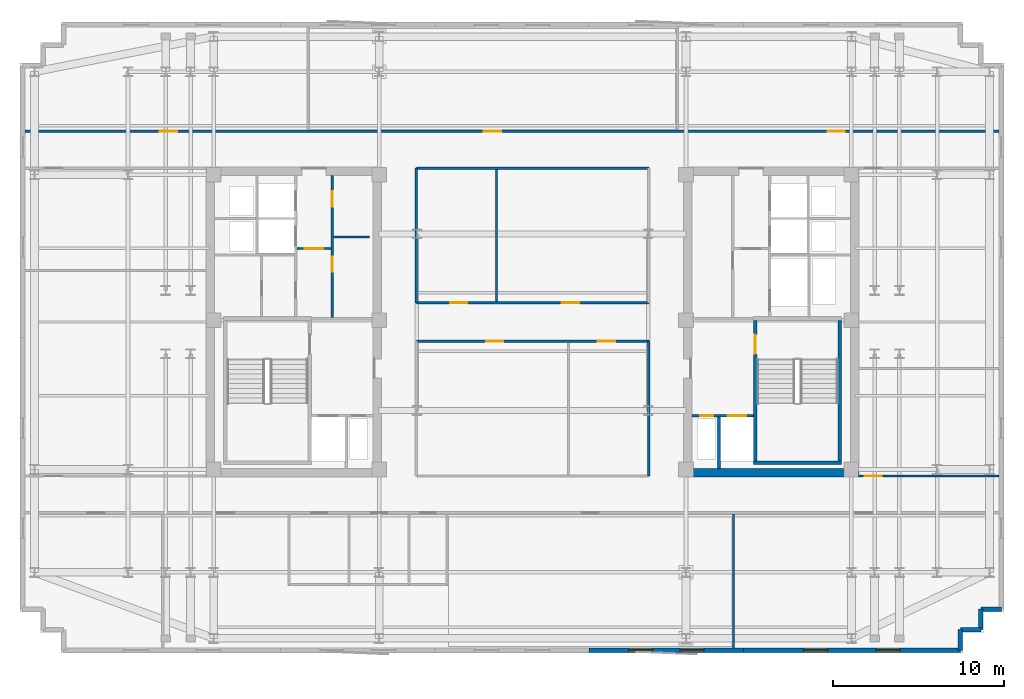
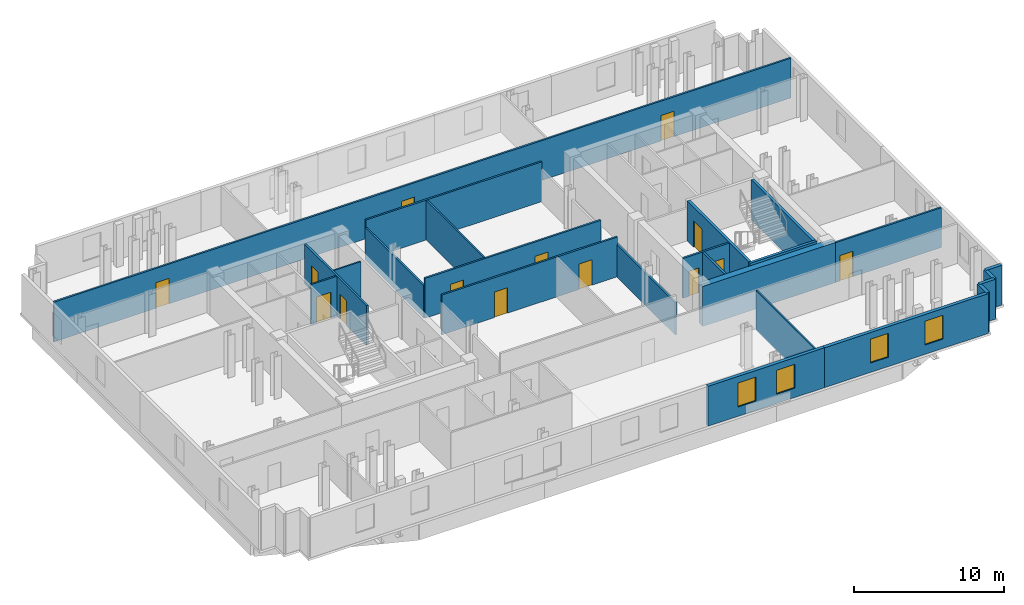
# One storey, part 5 of 9: 24 walls, 14 doors, 4 windows, 18 openings.
"""IFC4 building model written with IfcOpenShell, lengths in metres."""

from ifc_helpers import new_model, si_unit, direction, frame, frame_2d, origin, place, context, subcontext, project, spatial, rectangle, extrude, material, layer, layer_set, type_object, element, fill, save


model = new_model("IFC4")

# Units and contexts
model_context = context("Model", 3, precision=1e-05, world=origin(), true_north=direction((0.0, 1.0)))
body_context = subcontext(model_context, "Body", "Model", "MODEL_VIEW")
ifc_project = project(units=[si_unit("LENGTHUNIT", "METRE"), si_unit("AREAUNIT", "SQUARE_METRE"), si_unit("VOLUMEUNIT", "CUBIC_METRE"), si_unit("PLANEANGLEUNIT", "RADIAN"), si_unit("MASSUNIT", "GRAM", prefix="KILO")], contexts=[model_context])

# Site, building, storey
site_placement = place(None, origin())
site = spatial("IfcSite", under=ifc_project, at=site_placement, CompositionType="ELEMENT")
building_placement = place(site_placement, origin())
building = spatial("IfcBuilding", under=site, at=building_placement, Name="Velakula Bourse", CompositionType="ELEMENT")
storey_placement = place(building_placement, frame((0.0, 0.0, 208.5)))
storey = spatial("IfcBuildingStorey", under=building, at=storey_placement, Name="L56", CompositionType="ELEMENT", Elevation=208.5)

# Wall, opening, door
ifc_material_1 = material(Name="Concrete M50 (fck 50 MPa)", Category="concrete")
ifc_layer_1 = layer(ifc_material_1, 0.2099609375, Name="Concrete M50 (fck 50 MPa)", Category="concrete")
ifc_layer_set_1 = layer_set([ifc_layer_1], Name="Concrete M50 (fck 50 MPa)")
wall_type_1 = type_object("IfcWallType", Name="WL-CORE-210", PredefinedType="SHEAR", material=ifc_layer_set_1)
wall_1_placement = place(storey_placement, frame((12.9951171875, -8.10009765625, 0.0), z_axis=(0.0, 0.0, 1.0), x_axis=(0.0, 1.0, 0.0)))
wall_1 = element("IfcWall", 1, at=wall_1_placement, inside=storey, type_object=wall_type_1, Name="L56 Core E Stairwell Shear Wall IN", PredefinedType="SHEAR", context=body_context, shape_type="SweptSolid", body=[
    extrude(rectangle(XDim=8.2001953125, YDim=0.2099609375, at=frame_2d((4.10009765625, 0.0))), origin(), (0.0, 0.0, 1.0), 3.27001953125),
])
opening_1_placement = place(wall_1_placement, frame((6.25, 0.0, 0.0)))
opening_1 = element("IfcOpeningElement", 2, at=opening_1_placement, cuts=wall_1, Name="Opening D-STE1", PredefinedType="OPENING", context=body_context, shape_type="SweptSolid", body=[
    extrude(rectangle(XDim=1.10009765625, YDim=2.14990234375, at=frame_2d((0.550048828125, 1.074951171875))), frame((0.0, 0.114990234375, 0.0), z_axis=(0.0, -1.0, 0.0), x_axis=(1.0, 0.0, 0.0)), (0.0, 0.0, 1.0), 0.22998046875),
])
ifc_material_2 = material(Name="Galvanised painted hollow steel fire door", Category="steel")
door_type_1 = type_object("IfcDoorType", Name="DR-FD120-1100x2150", OperationType="NOTDEFINED", PredefinedType="DOOR", material=ifc_material_2)
door_1_placement = place(opening_1_placement, origin())
door_1 = element("IfcDoor", 3, at=door_1_placement, inside=storey, type_object=door_type_1, Name="L56 Stair ST-E1 Fire Door", OperationType="SINGLE_SWING_RIGHT", OverallHeight=2.14990234375, OverallWidth=1.10009765625, PredefinedType="DOOR", context=body_context, shape_type="SweptSolid", body=[
    extrude(rectangle(XDim=1.10009765625, YDim=2.14990234375, at=frame_2d((0.550048828125, 1.074951171875))), frame((0.0, 0.02490234375, 0.0), z_axis=(0.0, -1.0, 0.0), x_axis=(1.0, 0.0, 0.0)), (0.0, 0.0, 1.0), 0.050048828125),
])
fill(opening_1, door_1)

# Walls
wall_2_placement = place(storey_placement, frame((17.925048828125, -8.10009765625, 0.0), z_axis=(0.0, 0.0, 1.0), x_axis=(0.0, 1.0, 0.0)))
element("IfcWall", 4, at=wall_2_placement, inside=storey, type_object=wall_type_1, Name="L56 Core E Stairwell Shear Wall OUT", PredefinedType="SHEAR", context=body_context, shape_type="SweptSolid", body=[
    extrude(rectangle(XDim=8.2001953125, YDim=0.2099609375, at=frame_2d((4.10009765625, 0.0))), origin(), (0.0, 0.0, 1.0), 3.27001953125),
])
wall_3_placement = place(storey_placement, frame((12.889892578125, -8.205078125, 0.0), z_axis=(0.0, 0.0, 1.0), x_axis=(1.0, 0.0, 0.0)))
element("IfcWall", 5, at=wall_3_placement, inside=storey, type_object=wall_type_1, Name="L56 Core E Stairwell Shear Wall S", PredefinedType="SHEAR", context=body_context, shape_type="SweptSolid", body=[
    extrude(rectangle(XDim=5.14013671875, YDim=0.2099609375, at=frame_2d((2.570068359375, 0.0))), origin(), (0.0, 0.0, 1.0), 3.27001953125),
])
ifc_layer_2 = layer(ifc_material_1, 0.5, Name="Concrete M50 (fck 50 MPa)", Category="concrete")
ifc_layer_set_2 = layer_set([ifc_layer_2], Name="Concrete M50 (fck 50 MPa)")
wall_type_2 = type_object("IfcWallType", Name="WL-CORE-500", PredefinedType="SHEAR", material=ifc_layer_set_2)
wall_4_placement = place(storey_placement, frame((8.800048828125, -8.800048828125, 0.0), z_axis=(0.0, 0.0, 1.0), x_axis=(1.0, 0.0, 0.0)))
element("IfcWall", 6, at=wall_4_placement, inside=storey, type_object=wall_type_2, Name="L56 Core E Shear Wall S", PredefinedType="SHEAR", context=body_context, shape_type="SweptSolid", body=[
    extrude(rectangle(XDim=10.25, YDim=0.5, at=frame_2d((5.125, 0.0))), origin(), (0.0, 0.0, 1.0), 3.27001953125),
])

# Wall, openings, windows
ifc_material_3 = material(Name="Buff kilned clay facing brick masonry", Category="masonry")
ifc_layer_3 = layer(ifc_material_3, 0.260009765625, Name="Buff kilned clay facing brick masonry", Category="masonry")
ifc_layer_set_3 = layer_set([ifc_layer_3], Name="Buff kilned clay facing brick masonry")
wall_type_3 = type_object("IfcWallType", Name="WL-EXT-BRK-260", PredefinedType="STANDARD", material=ifc_layer_set_3)
wall_5_placement = place(storey_placement, frame((12.300048828125, -19.14990234375, 0.0), z_axis=(0.0, 0.0, 1.0), x_axis=(-1.0, 0.0, 0.0)))
wall_5 = element("IfcWall", 7, at=wall_5_placement, inside=storey, type_object=wall_type_3, Name="L56 S Brick Spandrel Wall B4", PredefinedType="STANDARD", context=body_context, shape_type="SweptSolid", body=[
    extrude(rectangle(XDim=9.0, YDim=0.260009765625, at=frame_2d((4.5, 0.0))), origin(), (0.0, 0.0, 1.0), 3.25),
])
opening_2_placement = place(wall_5_placement, frame((2.300048828125, 0.0, 0.760009765625)))
opening_2 = element("IfcOpeningElement", 8, at=opening_2_placement, cuts=wall_5, Name="Opening W-03", PredefinedType="OPENING", context=body_context, shape_type="SweptSolid", body=[
    extrude(rectangle(XDim=1.39990234375, YDim=1.949951171875, at=frame_2d((0.699951171875, 0.97509765625))), frame((0.0, 0.139892578125, 0.0), z_axis=(0.0, -1.0, 0.0), x_axis=(1.0, 0.0, 0.0)), (0.0, 0.0, 1.0), 0.280029296875),
])
opening_3_placement = place(wall_5_placement, frame((5.300048828125, 0.0, 0.760009765625)))
opening_3 = element("IfcOpeningElement", 9, at=opening_3_placement, cuts=wall_5, Name="Opening W-03", PredefinedType="OPENING", context=body_context, shape_type="SweptSolid", body=[
    extrude(rectangle(XDim=1.39990234375, YDim=1.949951171875, at=frame_2d((0.699951171875, 0.97509765625))), frame((0.0, 0.139892578125, 0.0), z_axis=(0.0, -1.0, 0.0), x_axis=(1.0, 0.0, 0.0)), (0.0, 0.0, 1.0), 0.280029296875),
])
ifc_material_4 = material(Name="Double-glazed solar-control Low-E glass", Category="glass")
window_type = type_object("IfcWindowType", Name="WIN-TWR-1400x2100", PartitioningType="SINGLE_PANEL", PredefinedType="WINDOW", material=ifc_material_4)
window_1_placement = place(opening_2_placement, origin())
window_1 = element("IfcWindow", 10, at=window_1_placement, inside=storey, type_object=window_type, Name="L56 Deep-Set Recessed Window 1", OverallHeight=1.949951171875, OverallWidth=1.39990234375, PartitioningType="SINGLE_PANEL", PredefinedType="WINDOW", context=body_context, shape_type="SweptSolid", body=[
    extrude(rectangle(XDim=1.39990234375, YDim=1.949951171875, at=frame_2d((0.699951171875, 0.97509765625))), frame((0.0, 0.030029296875, 0.0), z_axis=(0.0, -1.0, 0.0), x_axis=(1.0, 0.0, 0.0)), (0.0, 0.0, 1.0), 0.06005859375),
])
fill(opening_2, window_1)
window_2_placement = place(opening_3_placement, origin())
window_2 = element("IfcWindow", 11, at=window_2_placement, inside=storey, type_object=window_type, Name="L56 Deep-Set Recessed Window 2", OverallHeight=1.949951171875, OverallWidth=1.39990234375, PartitioningType="SINGLE_PANEL", PredefinedType="WINDOW", context=body_context, shape_type="SweptSolid", body=[
    extrude(rectangle(XDim=1.39990234375, YDim=1.949951171875, at=frame_2d((0.699951171875, 0.97509765625))), frame((0.0, 0.030029296875, 0.0), z_axis=(0.0, -1.0, 0.0), x_axis=(1.0, 0.0, 0.0)), (0.0, 0.0, 1.0), 0.06005859375),
])
fill(opening_3, window_2)

wall_6_placement = place(storey_placement, frame((24.949951171875, -19.14990234375, 0.0), z_axis=(0.0, 0.0, 1.0), x_axis=(-1.0, 0.0, 0.0)))
wall_6 = element("IfcWall", 12, at=wall_6_placement, inside=storey, type_object=wall_type_3, Name="L56 S Brick Spandrel Wall B5", PredefinedType="STANDARD", context=body_context, shape_type="SweptSolid", body=[
    extrude(rectangle(XDim=12.64990234375, YDim=0.260009765625, at=frame_2d((6.324951171875, 0.0))), origin(), (0.0, 0.0, 1.0), 3.25),
])
opening_4_placement = place(wall_6_placement, frame((3.5166015625, 0.0, 0.760009765625)))
opening_4 = element("IfcOpeningElement", 13, at=opening_4_placement, cuts=wall_6, Name="Opening W-03", PredefinedType="OPENING", context=body_context, shape_type="SweptSolid", body=[
    extrude(rectangle(XDim=1.39990234375, YDim=1.949951171875, at=frame_2d((0.699951171875, 0.97509765625))), frame((0.0, 0.139892578125, 0.0), z_axis=(0.0, -1.0, 0.0), x_axis=(1.0, 0.0, 0.0)), (0.0, 0.0, 1.0), 0.280029296875),
])
opening_5_placement = place(wall_6_placement, frame((7.7333984375, 0.0, 0.760009765625)))
opening_5 = element("IfcOpeningElement", 14, at=opening_5_placement, cuts=wall_6, Name="Opening W-03", PredefinedType="OPENING", context=body_context, shape_type="SweptSolid", body=[
    extrude(rectangle(XDim=1.39990234375, YDim=1.949951171875, at=frame_2d((0.699951171875, 0.97509765625))), frame((0.0, 0.139892578125, 0.0), z_axis=(0.0, -1.0, 0.0), x_axis=(1.0, 0.0, 0.0)), (0.0, 0.0, 1.0), 0.280029296875),
])
window_3_placement = place(opening_4_placement, origin())
window_3 = element("IfcWindow", 15, at=window_3_placement, inside=storey, type_object=window_type, Name="L56 Deep-Set Recessed Window 1", OverallHeight=1.949951171875, OverallWidth=1.39990234375, PartitioningType="SINGLE_PANEL", PredefinedType="WINDOW", context=body_context, shape_type="SweptSolid", body=[
    extrude(rectangle(XDim=1.39990234375, YDim=1.949951171875, at=frame_2d((0.699951171875, 0.97509765625))), frame((0.0, 0.030029296875, 0.0), z_axis=(0.0, -1.0, 0.0), x_axis=(1.0, 0.0, 0.0)), (0.0, 0.0, 1.0), 0.06005859375),
])
fill(opening_4, window_3)
window_4_placement = place(opening_5_placement, origin())
window_4 = element("IfcWindow", 16, at=window_4_placement, inside=storey, type_object=window_type, Name="L56 Deep-Set Recessed Window 2", OverallHeight=1.949951171875, OverallWidth=1.39990234375, PartitioningType="SINGLE_PANEL", PredefinedType="WINDOW", context=body_context, shape_type="SweptSolid", body=[
    extrude(rectangle(XDim=1.39990234375, YDim=1.949951171875, at=frame_2d((0.699951171875, 0.97509765625))), frame((0.0, 0.030029296875, 0.0), z_axis=(0.0, -1.0, 0.0), x_axis=(1.0, 0.0, 0.0)), (0.0, 0.0, 1.0), 0.06005859375),
])
fill(opening_5, window_4)

# Walls
for number, where, z_axis, x_axis, name in (
    (17, (24.949951171875, -19.14990234375, 0.0), (0.0, 0.0, 1.0), (0.0, 1.0, 0.0), "L56 Serrated Corner Brick Wall SE-1"),
    (18, (24.949951171875, -17.949951171875, 0.0), (0.0, 0.0, 1.0), (1.0, 0.0, 0.0), "L56 Serrated Corner Brick Wall SE-2"),
    (19, (26.14990234375, -17.949951171875, 0.0), (0.0, 0.0, 1.0), (0.0, 1.0, 0.0), "L56 Serrated Corner Brick Wall SE-3"),
):
    element("IfcWall", number, at=place(storey_placement, frame(where, z_axis=z_axis, x_axis=x_axis)), inside=storey, type_object=wall_type_3, Name=name, PredefinedType="STANDARD", context=body_context, shape_type="SweptSolid", body=[
        extrude(rectangle(XDim=1.199951171875, YDim=0.260009765625, at=frame_2d((0.60009765625, 0.0))), origin(), (0.0, 0.0, 1.0), 3.25),
    ])
wall_7_placement = place(storey_placement, frame((26.14990234375, -16.75, 0.0), z_axis=(0.0, 0.0, 1.0), x_axis=(1.0, 0.0, 0.0)))
element("IfcWall", 20, at=wall_7_placement, inside=storey, type_object=wall_type_3, Name="L56 Serrated Corner Brick Wall SE-4", PredefinedType="STANDARD", context=body_context, shape_type="SweptSolid", body=[
    extrude(rectangle(XDim=1.2001953125, YDim=0.260009765625, at=frame_2d((0.60009765625, 0.0))), origin(), (0.0, 0.0, 1.0), 3.25),
])

# Wall, opening, door
ifc_material_5 = material(Name="Fire-rated double-layer gypsum drywall partition", Category="gypsum")
ifc_layer_4 = layer(ifc_material_5, 0.1201171875, Name="Fire-rated double-layer gypsum drywall partition", Category="gypsum")
ifc_layer_set_4 = layer_set([ifc_layer_4], Name="Fire-rated double-layer gypsum drywall partition")
wall_type_4 = type_object("IfcWallType", Name="WL-PART-120", PredefinedType="STANDARD", material=ifc_layer_set_4)
wall_8_placement = place(storey_placement, frame((-13.75, 4.280029296875, 0.0), z_axis=(0.0, 0.0, 1.0), x_axis=(1.0, 0.0, 0.0)))
wall_8 = element("IfcWall", 21, at=wall_8_placement, inside=storey, type_object=wall_type_4, Name="L56 Interior Partition WL-CRW-L56-LL-K2", PredefinedType="STANDARD", context=body_context, shape_type="SweptSolid", body=[
    extrude(rectangle(XDim=2.0, YDim=0.1201171875, at=frame_2d((1.0, 0.0))), origin(), (0.0, 0.0, 1.0), 3.25),
])
opening_6_placement = place(wall_8_placement, frame((0.449951171875, 0.0, 0.0)))
opening_6 = element("IfcOpeningElement", 22, at=opening_6_placement, cuts=wall_8, Name="Opening D-LK2", PredefinedType="OPENING", context=body_context, shape_type="SweptSolid", body=[
    extrude(rectangle(XDim=1.10009765625, YDim=2.10009765625, at=frame_2d((0.550048828125, 1.050048828125))), frame((0.0, 0.070068359375, 0.0), z_axis=(0.0, -1.0, 0.0), x_axis=(1.0, 0.0, 0.0)), (0.0, 0.0, 1.0), 0.14013671875),
])
ifc_material_6 = material(Name="Fire-rated hardwood flush architectural door", Category="wood")
door_type_2 = type_object("IfcDoorType", Name="DR-FD60-1100x2100", OperationType="NOTDEFINED", PredefinedType="DOOR", material=ifc_material_6)
door_2_placement = place(opening_6_placement, origin())
door_2 = element("IfcDoor", 23, at=door_2_placement, inside=storey, type_object=door_type_2, Name="L56 Core W Lift Lobby Zone Door", OperationType="SINGLE_SWING_RIGHT", OverallHeight=2.10009765625, OverallWidth=1.10009765625, PredefinedType="DOOR", context=body_context, shape_type="SweptSolid", body=[
    extrude(rectangle(XDim=1.10009765625, YDim=2.10009765625, at=frame_2d((0.550048828125, 1.050048828125))), frame((0.0, 0.02490234375, 0.0), z_axis=(0.0, -1.0, 0.0), x_axis=(1.0, 0.0, 0.0)), (0.0, 0.0, 1.0), 0.050048828125),
])
fill(opening_6, door_2)

# Walls
wall_9_placement = place(storey_placement, frame((-11.60009765625, 4.949951171875, 0.0), z_axis=(0.0, 0.0, 1.0), x_axis=(1.0, 0.0, 0.0)))
element("IfcWall", 24, at=wall_9_placement, inside=storey, type_object=wall_type_4, Name="L56 Interior Partition WL-CRW-L56-RCDIV", PredefinedType="STANDARD", context=body_context, shape_type="SweptSolid", body=[
    extrude(rectangle(XDim=2.10009765625, YDim=0.1201171875, at=frame_2d((1.050048828125, 0.0))), origin(), (0.0, 0.0, 1.0), 3.25),
])
wall_10_placement = place(storey_placement, frame((11.722900390625, -19.02001953125, 0.0), z_axis=(0.0, 0.0, 1.0), x_axis=(0.0, 1.0, 0.0)))
element("IfcWall", 25, at=wall_10_placement, inside=storey, type_object=wall_type_4, Name="L56 Interior Partition WL-INT-L56-SR-D6", PredefinedType="STANDARD", context=body_context, shape_type="SweptSolid", body=[
    extrude(rectangle(XDim=7.830078125, YDim=0.1201171875, at=frame_2d((3.9150390625, 0.0))), origin(), (0.0, 0.0, 1.0), 3.25),
])

# Wall, openings, doors
ifc_layer_5 = layer(ifc_material_5, 0.139892578125, Name="Fire-rated double-layer gypsum drywall partition", Category="gypsum")
ifc_layer_set_5 = layer_set([ifc_layer_5], Name="Fire-rated double-layer gypsum drywall partition")
wall_type_5 = type_object("IfcWallType", Name="WL-PART-140", PredefinedType="STANDARD", material=ifc_layer_set_5)
wall_11_placement = place(storey_placement, frame((-29.6201171875, 11.1201171875, 0.0), z_axis=(0.0, 0.0, 1.0), x_axis=(1.0, 0.0, 0.0)))
wall_11 = element("IfcWall", 26, at=wall_11_placement, inside=storey, type_object=wall_type_5, Name="L56 Interior Partition WL-INT-L56-N-CORR", PredefinedType="STANDARD", context=body_context, shape_type="SweptSolid", body=[
    extrude(rectangle(XDim=56.840087890625, YDim=0.139892578125, at=frame_2d((28.419921875, 0.0))), origin(), (0.0, 0.0, 1.0), 3.25),
])
opening_7_placement = place(wall_11_placement, frame((7.880615234375, 0.0, 0.0)))
opening_7 = element("IfcOpeningElement", 27, at=opening_7_placement, cuts=wall_11, Name="Opening D-OF1", PredefinedType="OPENING", context=body_context, shape_type="SweptSolid", body=[
    extrude(rectangle(XDim=1.0, YDim=2.080078125, at=frame_2d((0.5, 1.0400390625))), frame((0.0, 0.079833984375, 0.0), z_axis=(0.0, -1.0, 0.0), x_axis=(1.0, 0.0, 0.0)), (0.0, 0.0, 1.0), 0.159912109375),
])
opening_8_placement = place(wall_11_placement, frame((26.785400390625, 0.0, 0.0)))
opening_8 = element("IfcOpeningElement", 28, at=opening_8_placement, cuts=wall_11, Name="Opening D-OF1", PredefinedType="OPENING", context=body_context, shape_type="SweptSolid", body=[
    extrude(rectangle(XDim=1.0, YDim=2.080078125, at=frame_2d((0.5, 1.0400390625))), frame((0.0, 0.079833984375, 0.0), z_axis=(0.0, -1.0, 0.0), x_axis=(1.0, 0.0, 0.0)), (0.0, 0.0, 1.0), 0.159912109375),
])
opening_9_placement = place(wall_11_placement, frame((46.824951171875, 0.0, 0.0)))
opening_9 = element("IfcOpeningElement", 29, at=opening_9_placement, cuts=wall_11, Name="Opening D-OF1", PredefinedType="OPENING", context=body_context, shape_type="SweptSolid", body=[
    extrude(rectangle(XDim=1.0, YDim=2.080078125, at=frame_2d((0.5, 1.0400390625))), frame((0.0, 0.079833984375, 0.0), z_axis=(0.0, -1.0, 0.0), x_axis=(1.0, 0.0, 0.0)), (0.0, 0.0, 1.0), 0.159912109375),
])
door_type_3 = type_object("IfcDoorType", Name="DR-OFF-1000", OperationType="NOTDEFINED", PredefinedType="DOOR", material=ifc_material_6)
door_3_placement = place(opening_7_placement, origin())
door_3 = element("IfcDoor", 30, at=door_3_placement, inside=storey, type_object=door_type_3, Name="L56 ETF Market-Making Workspace Door", OperationType="SINGLE_SWING_RIGHT", OverallHeight=2.080078125, OverallWidth=1.0, PredefinedType="DOOR", context=body_context, shape_type="SweptSolid", body=[
    extrude(rectangle(XDim=1.0, YDim=2.080078125, at=frame_2d((0.5, 1.0400390625))), frame((0.0, 0.02490234375, 0.0), z_axis=(0.0, -1.0, 0.0), x_axis=(1.0, 0.0, 0.0)), (0.0, 0.0, 1.0), 0.050048828125),
])
fill(opening_7, door_3)
door_4_placement = place(opening_8_placement, origin())
door_4 = element("IfcDoor", 31, at=door_4_placement, inside=storey, type_object=door_type_3, Name="L56 Peer Review Boardroom Door", OperationType="SINGLE_SWING_RIGHT", OverallHeight=2.080078125, OverallWidth=1.0, PredefinedType="DOOR", context=body_context, shape_type="SweptSolid", body=[
    extrude(rectangle(XDim=1.0, YDim=2.080078125, at=frame_2d((0.5, 1.0400390625))), frame((0.0, 0.02490234375, 0.0), z_axis=(0.0, -1.0, 0.0), x_axis=(1.0, 0.0, 0.0)), (0.0, 0.0, 1.0), 0.050048828125),
])
fill(opening_8, door_4)
door_5_placement = place(opening_9_placement, origin())
door_5 = element("IfcDoor", 32, at=door_5_placement, inside=storey, type_object=door_type_3, Name="L56 Catering Servery Pantry Door", OperationType="SINGLE_SWING_LEFT", OverallHeight=2.080078125, OverallWidth=1.0, PredefinedType="DOOR", context=body_context, shape_type="SweptSolid", body=[
    extrude(rectangle(XDim=1.0, YDim=2.080078125, at=frame_2d((0.5, 1.0400390625))), frame((0.0, 0.02490234375, 0.0), z_axis=(0.0, -1.0, 0.0), x_axis=(1.0, 0.0, 0.0)), (0.0, 0.0, 1.0), 0.050048828125),
])
fill(opening_9, door_5)

# Wall, opening, door
wall_12_placement = place(storey_placement, frame((19.050048828125, -8.97998046875, 0.0), z_axis=(0.0, 0.0, 1.0), x_axis=(1.0, 0.0, 0.0)))
wall_12 = element("IfcWall", 33, at=wall_12_placement, inside=storey, type_object=wall_type_5, Name="L56 Interior Partition WL-INT-L56-E-SC", PredefinedType="STANDARD", context=body_context, shape_type="SweptSolid", body=[
    extrude(rectangle(XDim=8.169921875, YDim=0.139892578125, at=frame_2d((4.0849609375, 0.0))), origin(), (0.0, 0.0, 1.0), 3.25),
])
opening_10_placement = place(wall_12_placement, frame((0.320068359375, 0.0, 0.0)))
opening_10 = element("IfcOpeningElement", 34, at=opening_10_placement, cuts=wall_12, Name="Opening D-OF1", PredefinedType="OPENING", context=body_context, shape_type="SweptSolid", body=[
    extrude(rectangle(XDim=1.0, YDim=2.080078125, at=frame_2d((0.5, 1.0400390625))), frame((0.0, 0.079833984375, 0.0), z_axis=(0.0, -1.0, 0.0), x_axis=(1.0, 0.0, 0.0)), (0.0, 0.0, 1.0), 0.159912109375),
])
door_6_placement = place(opening_10_placement, origin())
door_6 = element("IfcDoor", 35, at=door_6_placement, inside=storey, type_object=door_type_3, Name="L56 ESG Rating Analytics Workspace Door", OperationType="SINGLE_SWING_RIGHT", OverallHeight=2.080078125, OverallWidth=1.0, PredefinedType="DOOR", context=body_context, shape_type="SweptSolid", body=[
    extrude(rectangle(XDim=1.0, YDim=2.080078125, at=frame_2d((0.5, 1.0400390625))), frame((0.0, 0.02490234375, 0.0), z_axis=(0.0, -1.0, 0.0), x_axis=(1.0, 0.0, 0.0)), (0.0, 0.0, 1.0), 0.050048828125),
])
fill(opening_10, door_6)

# Wall, openings, doors
wall_13_placement = place(storey_placement, frame((-6.780029296875, 1.1201171875, 0.0), z_axis=(0.0, 0.0, 1.0), x_axis=(1.0, 0.0, 0.0)))
wall_13 = element("IfcWall", 36, at=wall_13_placement, inside=storey, type_object=wall_type_5, Name="L56 Interior Partition WL-INT-L56-MN-IN", PredefinedType="STANDARD", context=body_context, shape_type="SweptSolid", body=[
    extrude(rectangle(XDim=13.56005859375, YDim=0.139892578125, at=frame_2d((6.780029296875, 0.0))), origin(), (0.0, 0.0, 1.0), 3.25),
])
opening_11_placement = place(wall_13_placement, frame((1.966064453125, 0.0, 0.0)))
opening_11 = element("IfcOpeningElement", 37, at=opening_11_placement, cuts=wall_13, Name="Opening D-OF1", PredefinedType="OPENING", context=body_context, shape_type="SweptSolid", body=[
    extrude(rectangle(XDim=1.0, YDim=2.080078125, at=frame_2d((0.5, 1.0400390625))), frame((0.0, 0.079833984375, 0.0), z_axis=(0.0, -1.0, 0.0), x_axis=(1.0, 0.0, 0.0)), (0.0, 0.0, 1.0), 0.159912109375),
])
opening_12_placement = place(wall_13_placement, frame((8.493896484375, 0.0, 0.0)))
opening_12 = element("IfcOpeningElement", 38, at=opening_12_placement, cuts=wall_13, Name="Opening D-OF1", PredefinedType="OPENING", context=body_context, shape_type="SweptSolid", body=[
    extrude(rectangle(XDim=1.0, YDim=2.080078125, at=frame_2d((0.5, 1.0400390625))), frame((0.0, 0.079833984375, 0.0), z_axis=(0.0, -1.0, 0.0), x_axis=(1.0, 0.0, 0.0)), (0.0, 0.0, 1.0), 0.159912109375),
])
door_7_placement = place(opening_11_placement, origin())
door_7 = element("IfcDoor", 39, at=door_7_placement, inside=storey, type_object=door_type_3, Name="L56 Primary Dealer Office Door", OperationType="SINGLE_SWING_LEFT", OverallHeight=2.080078125, OverallWidth=1.0, PredefinedType="DOOR", context=body_context, shape_type="SweptSolid", body=[
    extrude(rectangle(XDim=1.0, YDim=2.080078125, at=frame_2d((0.5, 1.0400390625))), frame((0.0, 0.02490234375, 0.0), z_axis=(0.0, -1.0, 0.0), x_axis=(1.0, 0.0, 0.0)), (0.0, 0.0, 1.0), 0.050048828125),
])
fill(opening_11, door_7)
door_8_placement = place(opening_12_placement, origin())
door_8 = element("IfcDoor", 40, at=door_8_placement, inside=storey, type_object=door_type_3, Name="L56 Compliance Review Office Door", OperationType="SINGLE_SWING_RIGHT", OverallHeight=2.080078125, OverallWidth=1.0, PredefinedType="DOOR", context=body_context, shape_type="SweptSolid", body=[
    extrude(rectangle(XDim=1.0, YDim=2.080078125, at=frame_2d((0.5, 1.0400390625))), frame((0.0, 0.02490234375, 0.0), z_axis=(0.0, -1.0, 0.0), x_axis=(1.0, 0.0, 0.0)), (0.0, 0.0, 1.0), 0.050048828125),
])
fill(opening_12, door_8)

# Walls
wall_14_placement = place(storey_placement, frame((-6.780029296875, 8.97998046875, 0.0), z_axis=(0.0, 0.0, 1.0), x_axis=(1.0, 0.0, 0.0)))
element("IfcWall", 41, at=wall_14_placement, inside=storey, type_object=wall_type_5, Name="L56 Interior Partition WL-INT-L56-MN-OUT", PredefinedType="STANDARD", context=body_context, shape_type="SweptSolid", body=[
    extrude(rectangle(XDim=13.56005859375, YDim=0.139892578125, at=frame_2d((6.780029296875, 0.0))), origin(), (0.0, 0.0, 1.0), 3.25),
])
wall_15_placement = place(storey_placement, frame((-6.780029296875, 1.1201171875, 0.0), z_axis=(0.0, 0.0, 1.0), x_axis=(0.0, 1.0, 0.0)))
element("IfcWall", 42, at=wall_15_placement, inside=storey, type_object=wall_type_5, Name="L56 Interior Partition WL-INT-L56-MN-W", PredefinedType="STANDARD", context=body_context, shape_type="SweptSolid", body=[
    extrude(rectangle(XDim=7.85986328125, YDim=0.139892578125, at=frame_2d((3.929931640625, 0.0))), origin(), (0.0, 0.0, 1.0), 2.64501953125),
])
wall_16_placement = place(storey_placement, frame((-2.10009765625, 1.18994140625, 0.0), z_axis=(0.0, 0.0, 1.0), x_axis=(0.0, 1.0, 0.0)))
element("IfcWall", 43, at=wall_16_placement, inside=storey, type_object=wall_type_5, Name="L56 Interior Partition WL-INT-L56-MN-V1", PredefinedType="STANDARD", context=body_context, shape_type="SweptSolid", body=[
    extrude(rectangle(XDim=7.719970703125, YDim=0.1201171875, at=frame_2d((3.85986328125, 0.0))), origin(), (0.0, 0.0, 1.0), 3.25),
])

# Wall, openings, doors
wall_17_placement = place(storey_placement, frame((-6.780029296875, -1.1201171875, 0.0), z_axis=(0.0, 0.0, 1.0), x_axis=(1.0, 0.0, 0.0)))
wall_17 = element("IfcWall", 44, at=wall_17_placement, inside=storey, type_object=wall_type_5, Name="L56 Interior Partition WL-INT-L56-MS-IN", PredefinedType="STANDARD", context=body_context, shape_type="SweptSolid", body=[
    extrude(rectangle(XDim=13.56005859375, YDim=0.139892578125, at=frame_2d((6.780029296875, 0.0))), origin(), (0.0, 0.0, 1.0), 3.25),
])
opening_13_placement = place(wall_17_placement, frame((4.06591796875, 0.0, 0.0)))
opening_13 = element("IfcOpeningElement", 45, at=opening_13_placement, cuts=wall_17, Name="Opening D-OF1", PredefinedType="OPENING", context=body_context, shape_type="SweptSolid", body=[
    extrude(rectangle(XDim=1.0, YDim=2.080078125, at=frame_2d((0.5, 1.0400390625))), frame((0.0, 0.079833984375, 0.0), z_axis=(0.0, -1.0, 0.0), x_axis=(1.0, 0.0, 0.0)), (0.0, 0.0, 1.0), 0.159912109375),
])
opening_14_placement = place(wall_17_placement, frame((10.593994140625, 0.0, 0.0)))
opening_14 = element("IfcOpeningElement", 46, at=opening_14_placement, cuts=wall_17, Name="Opening D-OF1", PredefinedType="OPENING", context=body_context, shape_type="SweptSolid", body=[
    extrude(rectangle(XDim=1.0, YDim=2.080078125, at=frame_2d((0.5, 1.0400390625))), frame((0.0, 0.079833984375, 0.0), z_axis=(0.0, -1.0, 0.0), x_axis=(1.0, 0.0, 0.0)), (0.0, 0.0, 1.0), 0.159912109375),
])
door_9_placement = place(opening_13_placement, origin())
door_9 = element("IfcDoor", 47, at=door_9_placement, inside=storey, type_object=door_type_3, Name="L56 Treasury Operations Office Door", OperationType="SINGLE_SWING_LEFT", OverallHeight=2.080078125, OverallWidth=1.0, PredefinedType="DOOR", context=body_context, shape_type="SweptSolid", body=[
    extrude(rectangle(XDim=1.0, YDim=2.080078125, at=frame_2d((0.5, 1.0400390625))), frame((0.0, 0.02490234375, 0.0), z_axis=(0.0, -1.0, 0.0), x_axis=(1.0, 0.0, 0.0)), (0.0, 0.0, 1.0), 0.050048828125),
])
fill(opening_13, door_9)
door_10_placement = place(opening_14_placement, origin())
door_10 = element("IfcDoor", 48, at=door_10_placement, inside=storey, type_object=door_type_3, Name="L56 Bullion Assay Office Door", OperationType="SINGLE_SWING_RIGHT", OverallHeight=2.080078125, OverallWidth=1.0, PredefinedType="DOOR", context=body_context, shape_type="SweptSolid", body=[
    extrude(rectangle(XDim=1.0, YDim=2.080078125, at=frame_2d((0.5, 1.0400390625))), frame((0.0, 0.02490234375, 0.0), z_axis=(0.0, -1.0, 0.0), x_axis=(1.0, 0.0, 0.0)), (0.0, 0.0, 1.0), 0.050048828125),
])
fill(opening_14, door_10)

# Wall
wall_18_placement = place(storey_placement, frame((6.780029296875, -8.97998046875, 0.0), z_axis=(0.0, 0.0, 1.0), x_axis=(0.0, 1.0, 0.0)))
element("IfcWall", 49, at=wall_18_placement, inside=storey, type_object=wall_type_5, Name="L56 Interior Partition WL-INT-L56-MS-E", PredefinedType="STANDARD", context=body_context, shape_type="SweptSolid", body=[
    extrude(rectangle(XDim=7.85986328125, YDim=0.139892578125, at=frame_2d((3.929931640625, 0.0))), origin(), (0.0, 0.0, 1.0), 2.64501953125),
])

# Wall, openings, doors
ifc_material_7 = material(Name="Autoclaved aerated concrete blockwork masonry", Category="masonry")
ifc_layer_6 = layer(ifc_material_7, 0.14990234375, Name="Autoclaved aerated concrete blockwork masonry", Category="masonry")
ifc_layer_set_6 = layer_set([ifc_layer_6], Name="Autoclaved aerated concrete blockwork masonry")
wall_type_6 = type_object("IfcWallType", Name="WL-SHAFT-150", PredefinedType="STANDARD", material=ifc_layer_set_6)
wall_19_placement = place(storey_placement, frame((-11.675048828125, 0.27001953125, 0.0), z_axis=(0.0, 0.0, 1.0), x_axis=(0.0, 1.0, 0.0)))
wall_19 = element("IfcWall", 50, at=wall_19_placement, inside=storey, type_object=wall_type_6, Name="L56 Interior Partition WL-CRW-L56-BANK-F", PredefinedType="STANDARD", context=body_context, shape_type="SweptSolid", body=[
    extrude(rectangle(XDim=8.280029296875, YDim=0.14990234375, at=frame_2d((4.14013671875, 0.0))), origin(), (0.0, 0.0, 1.0), 3.25),
])
opening_15_placement = place(wall_19_placement, frame((2.64990234375, 0.0, 0.0)))
opening_15 = element("IfcOpeningElement", 51, at=opening_15_placement, cuts=wall_19, Name="Opening D-RC1", PredefinedType="OPENING", context=body_context, shape_type="SweptSolid", body=[
    extrude(rectangle(XDim=0.89990234375, YDim=2.050048828125, at=frame_2d((0.449951171875, 1.02490234375))), frame((0.0, 0.0849609375, 0.0), z_axis=(0.0, -1.0, 0.0), x_axis=(1.0, 0.0, 0.0)), (0.0, 0.0, 1.0), 0.169921875),
])
opening_16_placement = place(wall_19_placement, frame((6.449951171875, 0.0, 0.0)))
opening_16 = element("IfcOpeningElement", 52, at=opening_16_placement, cuts=wall_19, Name="Opening D-RC1", PredefinedType="OPENING", context=body_context, shape_type="SweptSolid", body=[
    extrude(rectangle(XDim=0.89990234375, YDim=2.050048828125, at=frame_2d((0.449951171875, 1.02490234375))), frame((0.0, 0.0849609375, 0.0), z_axis=(0.0, -1.0, 0.0), x_axis=(1.0, 0.0, 0.0)), (0.0, 0.0, 1.0), 0.169921875),
])
door_type_4 = type_object("IfcDoorType", Name="DR-FD60-900", OperationType="NOTDEFINED", PredefinedType="DOOR", material=ifc_material_6)
door_11_placement = place(opening_15_placement, origin())
door_11 = element("IfcDoor", 53, at=door_11_placement, inside=storey, type_object=door_type_4, Name="L56 Reclaimed Archive Room Door", OperationType="SINGLE_SWING_RIGHT", OverallHeight=2.050048828125, OverallWidth=0.89990234375, PredefinedType="DOOR", context=body_context, shape_type="SweptSolid", body=[
    extrude(rectangle(XDim=0.89990234375, YDim=2.050048828125, at=frame_2d((0.449951171875, 1.02490234375))), frame((0.0, 0.02490234375, 0.0), z_axis=(0.0, -1.0, 0.0), x_axis=(1.0, 0.0, 0.0)), (0.0, 0.0, 1.0), 0.050048828125),
])
fill(opening_15, door_11)
door_12_placement = place(opening_16_placement, origin())
door_12 = element("IfcDoor", 54, at=door_12_placement, inside=storey, type_object=door_type_4, Name="L56 Reclaimed Registry Store Door", OperationType="SINGLE_SWING_LEFT", OverallHeight=2.050048828125, OverallWidth=0.89990234375, PredefinedType="DOOR", context=body_context, shape_type="SweptSolid", body=[
    extrude(rectangle(XDim=0.89990234375, YDim=2.050048828125, at=frame_2d((0.449951171875, 1.02490234375))), frame((0.0, 0.02490234375, 0.0), z_axis=(0.0, -1.0, 0.0), x_axis=(1.0, 0.0, 0.0)), (0.0, 0.0, 1.0), 0.050048828125),
])
fill(opening_16, door_12)

wall_20_placement = place(storey_placement, frame((9.300048828125, -5.47509765625, 0.0), z_axis=(0.0, 0.0, 1.0), x_axis=(1.0, 0.0, 0.0)))
wall_20 = element("IfcWall", 55, at=wall_20_placement, inside=storey, type_object=wall_type_6, Name="L56 Interior Partition WL-CRE-L56-FFL-N", PredefinedType="STANDARD", context=body_context, shape_type="SweptSolid", body=[
    extrude(rectangle(XDim=3.594970703125, YDim=0.14990234375, at=frame_2d((1.79736328125, 0.0))), origin(), (0.0, 0.0, 1.0), 3.25),
])
opening_17_placement = place(wall_20_placement, frame((2.074951171875, 0.0, 0.0)))
opening_17 = element("IfcOpeningElement", 56, at=opening_17_placement, cuts=wall_20, Name="Opening LD-FFL-2", PredefinedType="OPENING", context=body_context, shape_type="SweptSolid", body=[
    extrude(rectangle(XDim=1.10009765625, YDim=2.14990234375, at=frame_2d((0.550048828125, 1.074951171875))), frame((0.0, 0.0849609375, 0.0), z_axis=(0.0, -1.0, 0.0), x_axis=(1.0, 0.0, 0.0)), (0.0, 0.0, 1.0), 0.169921875),
])
opening_18_placement = place(wall_20_placement, frame((0.47509765625, 0.0, 0.0)))
opening_18 = element("IfcOpeningElement", 57, at=opening_18_placement, cuts=wall_20, Name="Opening D-RS1", PredefinedType="OPENING", context=body_context, shape_type="SweptSolid", body=[
    extrude(rectangle(XDim=0.75, YDim=2.050048828125, at=frame_2d((0.375, 1.02490234375))), frame((0.0, 0.0849609375, 0.0), z_axis=(0.0, -1.0, 0.0), x_axis=(1.0, 0.0, 0.0)), (0.0, 0.0, 1.0), 0.169921875),
])
door_type_5 = type_object("IfcDoorType", Name="DR-RISER-800", OperationType="NOTDEFINED", PredefinedType="DOOR", material=ifc_material_2)
door_13_placement = place(opening_18_placement, origin())
door_13 = element("IfcDoor", 58, at=door_13_placement, inside=storey, type_object=door_type_5, Name="L56 Fire Riser Access Door", OperationType="SINGLE_SWING_LEFT", OverallHeight=2.050048828125, OverallWidth=0.75, PredefinedType="DOOR", context=body_context, shape_type="SweptSolid", body=[
    extrude(rectangle(XDim=0.75, YDim=2.050048828125, at=frame_2d((0.375, 1.02490234375))), frame((0.0, 0.02490234375, 0.0), z_axis=(0.0, -1.0, 0.0), x_axis=(1.0, 0.0, 0.0)), (0.0, 0.0, 1.0), 0.050048828125),
])
fill(opening_18, door_13)
ifc_material_8 = material(Name="Brushed grade 316 stainless steel", Category="steel")
door_type_6 = type_object("IfcDoorType", Name="DR-SLIDE-FFL-1100", OperationType="DOUBLE_DOOR_SLIDING", PredefinedType="DOOR", material=ifc_material_8)
door_14_placement = place(opening_17_placement, origin())
door_14 = element("IfcDoor", 59, at=door_14_placement, inside=storey, type_object=door_type_6, Name="L56 Firefighting Lift FFL-2 Sliding Landing Door", OperationType="DOUBLE_DOOR_SLIDING", OverallHeight=2.14990234375, OverallWidth=1.10009765625, PredefinedType="DOOR", context=body_context, shape_type="SweptSolid", body=[
    extrude(rectangle(XDim=1.10009765625, YDim=2.14990234375, at=frame_2d((0.550048828125, 1.074951171875))), frame((0.0, 0.02490234375, 0.0), z_axis=(0.0, -1.0, 0.0), x_axis=(1.0, 0.0, 0.0)), (0.0, 0.0, 1.0), 0.050048828125),
])
fill(opening_17, door_14)

# Wall
wall_21_placement = place(storey_placement, frame((10.875, -8.550048828125, 0.0), z_axis=(0.0, 0.0, 1.0), x_axis=(0.0, 1.0, 0.0)))
element("IfcWall", 60, at=wall_21_placement, inside=storey, type_object=wall_type_6, Name="L56 Interior Partition WL-CRE-L56-FR-DIV", PredefinedType="STANDARD", context=body_context, shape_type="SweptSolid", body=[
    extrude(rectangle(XDim=3.0, YDim=0.14990234375, at=frame_2d((1.5, 0.0))), origin(), (0.0, 0.0, 1.0), 3.25),
])

save(model, "model.ifc")
